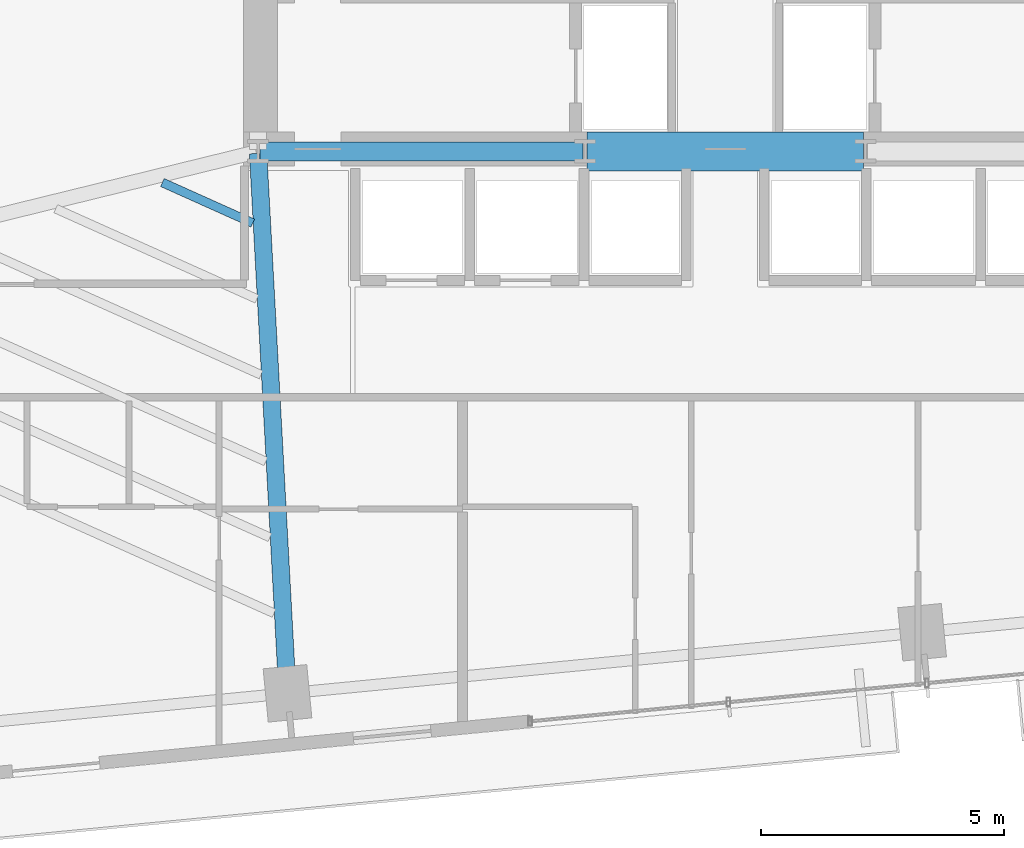
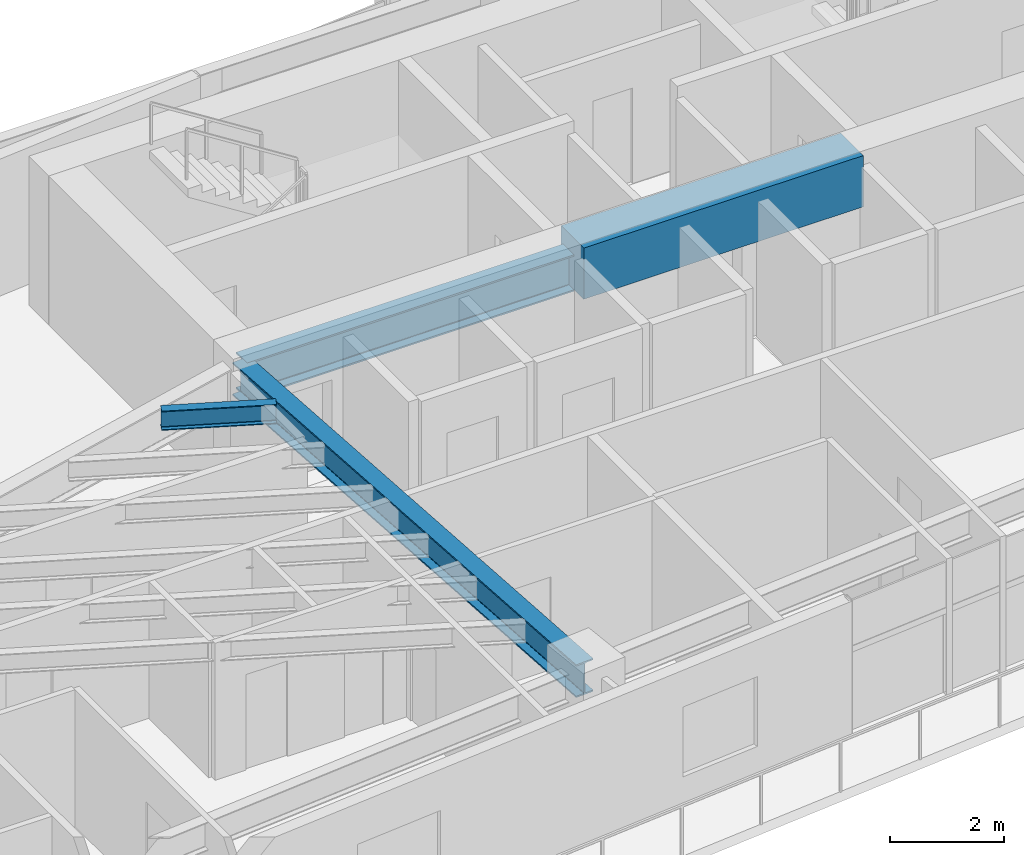
# One storey, part 7 of 25: 4 beams.
"""IFC4 building model written with IfcOpenShell, lengths in metres."""

import ifcopenshell
import ifcopenshell.guid

model = None  # the IFC model being written
_history = None  # IfcOwnerHistory: only IFC2X3 demands one
_inside = {}  # id of a spatial element -> (the spatial element, [elements in it])
_under = {}  # id of a project, library or spatial element -> (it, [spatial elements below it])
_declared = {}  # id of a project -> (the project, [libraries it declares])
_typed = {}  # id of a type object -> (the type object, [elements of that type])
_made_of = {}  # id of a material, layer set ... -> (it, [elements and type objects made of it])


def new_model(schema):
    """Start an empty IFC model of exactly this schema.

    Asked for "IFC4X3", IfcOpenShell would pick the latest addendum, in which some entities
    have other attributes; the version numbers below select the first issue.
    IFC2X3 requires an IfcOwnerHistory on every rooted entity: one is made here for all.
    """
    global model, _history
    if schema == "IFC4X3":
        model = ifcopenshell.file(schema_version=(4, 3, 0, 0))
    else:
        model = ifcopenshell.file(schema=schema)
    _inside.clear()
    _under.clear()
    _declared.clear()
    _typed.clear()
    _made_of.clear()
    _history = None
    if model.schema == "IFC2X3":
        org = make("IfcOrganization", Name="unknown")
        user = make(
            "IfcPersonAndOrganization",
            ThePerson=make("IfcPerson", FamilyName="unknown"),
            TheOrganization=org,
        )
        app = make(
            "IfcApplication",
            ApplicationDeveloper=org,
            Version="unknown",
            ApplicationFullName="unknown",
            ApplicationIdentifier="unknown",
        )
        _history = make(
            "IfcOwnerHistory",
            OwningUser=user,
            OwningApplication=app,
            ChangeAction="ADDED",
            CreationDate=0,
        )
    return model


def make(cls, **values):
    """One entity of the class cls with the attributes given. An attribute that is None is left unset."""
    return model.create_entity(
        cls, **{name: value for name, value in values.items() if value is not None}
    )


def rooted(cls, **values):
    """An entity with a GlobalId (a new one), such as an element, a storey or a relation."""
    return make(cls, GlobalId=ifcopenshell.guid.new(), OwnerHistory=_history, **values)


def si_unit(unit_type, name, prefix=None):
    """IfcSIUnit, for example si_unit("LENGTHUNIT", "METRE", prefix="MILLI")."""
    return make("IfcSIUnit", UnitType=unit_type, Prefix=prefix, Name=name)


def assignment(units):
    """IfcUnitAssignment: the units of a project."""
    return None if units is None else make("IfcUnitAssignment", Units=units)


def point(xyz):
    """IfcCartesianPoint."""
    return None if xyz is None else make("IfcCartesianPoint", Coordinates=xyz)


def direction(xyz):
    """IfcDirection."""
    return None if xyz is None else make("IfcDirection", DirectionRatios=xyz)


def frame(location, z_axis=None, x_axis=None):
    """IfcAxis2Placement3D, a coordinate frame: its origin and axes. An axis left out is left unset."""
    return make(
        "IfcAxis2Placement3D",
        Location=point(location),
        Axis=direction(z_axis),
        RefDirection=direction(x_axis),
    )


def frame_2d(location, x_axis=None):
    """IfcAxis2Placement2D, a coordinate frame in the plane: its origin and x axis."""
    return make(
        "IfcAxis2Placement2D", Location=point(location), RefDirection=direction(x_axis)
    )


def origin():
    """The frame at (0, 0, 0) with its axes left unset."""
    return frame((0.0, 0.0, 0.0))


def origin_2d():
    """The frame at (0, 0) in the plane with its x axis left unset."""
    return frame_2d((0.0, 0.0))


def place(relative_to, where):
    """IfcLocalPlacement: puts the frame where relative to a parent placement (None: the world)."""
    return make(
        "IfcLocalPlacement", PlacementRelTo=relative_to, RelativePlacement=where
    )


def context(
    kind, dimensions, precision=None, world=None, true_north=None, identifier=None
):
    """IfcGeometricRepresentationContext, for example the 3D "Model" context."""
    return make(
        "IfcGeometricRepresentationContext",
        ContextIdentifier=identifier,
        ContextType=kind,
        CoordinateSpaceDimension=dimensions,
        Precision=precision,
        WorldCoordinateSystem=world,
        TrueNorth=true_north,
    )


def subcontext(parent, identifier, kind, view, scale=None):
    """IfcGeometricRepresentationSubContext, for example "Body" below "Model"."""
    return make(
        "IfcGeometricRepresentationSubContext",
        ContextIdentifier=identifier,
        ContextType=kind,
        ParentContext=parent,
        TargetScale=scale,
        TargetView=view,
    )


def project(units=None, contexts=None):
    """IfcProject with its units and contexts."""
    return rooted(
        "IfcProject",
        Name="project",
        RepresentationContexts=contexts,
        UnitsInContext=assignment(units),
    )


def spatial(cls, under=None, at=None, **own):
    """A site, building, storey or space (cls), placed at a placement, below another one or the project."""
    s = rooted(cls, ObjectPlacement=at, **own)
    if under is not None:
        _under.setdefault(under.id(), (under, []))[1].append(s)
    return s


def profile(cls, at=None, kind="AREA", **sizes):
    """A parametric profile (cls). Its sizes go by their IFC names, for example OverallWidth=200.0."""
    return make(cls, ProfileType=kind, Position=at, **sizes)


def rectangle(**sizes):
    """IfcRectangleProfileDef."""
    return profile("IfcRectangleProfileDef", **sizes)


def i_section(**sizes):
    """IfcIShapeProfileDef."""
    return profile("IfcIShapeProfileDef", **sizes)


def extrude(swept, where, along, depth):
    """IfcExtrudedAreaSolid: the profile swept, set in the frame where, extruded along a direction by depth."""
    return make(
        "IfcExtrudedAreaSolid",
        SweptArea=swept,
        Position=where,
        ExtrudedDirection=direction(along),
        Depth=depth,
    )


def shape(context_of_items, identifier, shape_type, items):
    """IfcShapeRepresentation: the items that make up one representation, for example the "Body"."""
    return make(
        "IfcShapeRepresentation",
        ContextOfItems=context_of_items,
        RepresentationIdentifier=identifier,
        RepresentationType=shape_type,
        Items=items,
    )


def source(mapping_origin, context_of_items, identifier, shape_type, items):
    """IfcRepresentationMap: a shape defined once, which mapped items show again and again."""
    return make(
        "IfcRepresentationMap",
        MappingOrigin=mapping_origin,
        MappedRepresentation=shape(context_of_items, identifier, shape_type, items),
    )


def transform(
    local_origin,
    x_axis=None,
    y_axis=None,
    z_axis=None,
    scale=None,
    scale2=None,
    scale3=None,
    uniform=True,
):
    """IfcCartesianTransformationOperator3D, or its non-uniform kind. x_axis, y_axis, z_axis: its Axis1, 2, 3."""
    if uniform:
        return make(
            "IfcCartesianTransformationOperator3D",
            Axis1=direction(x_axis),
            Axis2=direction(y_axis),
            LocalOrigin=point(local_origin),
            Scale=scale,
            Axis3=direction(z_axis),
        )
    return make(
        "IfcCartesianTransformationOperator3DnonUniform",
        Axis1=direction(x_axis),
        Axis2=direction(y_axis),
        LocalOrigin=point(local_origin),
        Scale=scale,
        Axis3=direction(z_axis),
        Scale2=scale2,
        Scale3=scale3,
    )


def mapped(mapping_source, mapping_target):
    """IfcMappedItem: shows the shape of a source again, moved by a transform."""
    return make(
        "IfcMappedItem", MappingSource=mapping_source, MappingTarget=mapping_target
    )


def material(Name=None, Category=None):
    """IfcMaterial."""
    return make("IfcMaterial", Name=Name, Category=Category)


def material_profile(
    of_material, cross_section, Name=None, Category=None, Priority=None
):
    """IfcMaterialProfile: a cross section and its material."""
    return make(
        "IfcMaterialProfile",
        Name=Name,
        Material=of_material,
        Profile=cross_section,
        Priority=Priority,
        Category=Category,
    )


def profile_set(profiles, Name=None, composite=None):
    """IfcMaterialProfileSet."""
    return make(
        "IfcMaterialProfileSet",
        Name=Name,
        MaterialProfiles=profiles,
        CompositeProfile=composite,
    )


def made_of(thing, what):
    """Note that an element or type object is made of a material, layer set ...; save() writes the relation."""
    if what is not None:
        _made_of.setdefault(what.id(), (what, []))[1].append(thing)
    return thing


def type_object(cls, material=None, **own):
    """A type object (cls), such as IfcWallType, which elements share."""
    return made_of(rooted(cls, **own), material)


def type_shapes(of_type, sources):
    """Give a type object the sources (RepresentationMaps) that its elements show as mapped items."""
    of_type.RepresentationMaps = sources


def element(
    cls,
    number,
    at=None,
    inside=None,
    cuts=None,
    type_object=None,
    material=None,
    context=None,
    identifier="Body",
    shape_type=None,
    held_by="IfcProductDefinitionShape",
    body=None,
    shapes=None,
    **own,
):
    """One element of the class cls, such as IfcWall. Its Tag is "e" and its number.

    at: its placement. inside: the storey or other place that contains it. cuts: it is an
    opening in that element (IfcRelVoidsElement). A single representation is given by context,
    identifier, shape_type and body (its items); several are given by shapes. held_by: the class
    of the entity that holds the representations. save() writes the other relations.
    """
    e = rooted(cls, Tag="e%d" % number, ObjectPlacement=at, **own)
    if body is not None:
        shapes = [shape(context, identifier, shape_type, body)]
    if shapes is not None:
        e.Representation = make(held_by, Representations=shapes)
    if inside is not None:
        _inside.setdefault(inside.id(), (inside, []))[1].append(e)
    if cuts is not None:
        rooted(
            "IfcRelVoidsElement", RelatingBuildingElement=cuts, RelatedOpeningElement=e
        )
    if type_object is not None:
        _typed.setdefault(type_object.id(), (type_object, []))[1].append(e)
    return made_of(e, material)


def aggregate(whole, parts):
    """IfcRelAggregates: a whole, such as a stair, and the parts it consists of."""
    return rooted("IfcRelAggregates", RelatingObject=whole, RelatedObjects=parts)


def save(model, path):
    """Write the relations noted so far, then the file.

    IfcRelAggregates (storeys below a building ...), IfcRelContainedInSpatialStructure (elements
    in a storey), IfcRelDefinesByType, IfcRelAssociatesMaterial and IfcRelDeclares: one each for
    every whole, place, type object, material and project.
    """
    for whole, parts in _under.values():
        aggregate(whole, parts)
    for where, things in _inside.values():
        rooted(
            "IfcRelContainedInSpatialStructure",
            RelatedElements=things,
            RelatingStructure=where,
        )
    for kind, things in _typed.values():
        rooted("IfcRelDefinesByType", RelatedObjects=things, RelatingType=kind)
    for what, things in _made_of.values():
        rooted("IfcRelAssociatesMaterial", RelatedObjects=things, RelatingMaterial=what)
    for by, libraries in _declared.values():
        rooted("IfcRelDeclares", RelatingContext=by, RelatedDefinitions=libraries)
    model.write(path)


model = new_model("IFC4")

# Units and contexts
model_context = context("Model", 3, precision=1e-05, world=origin(), true_north=direction((0.0, 1.0)))
body_context = subcontext(model_context, "Body", "Model", "MODEL_VIEW")
ifc_project = project(units=[si_unit("LENGTHUNIT", "METRE"), si_unit("AREAUNIT", "SQUARE_METRE"), si_unit("VOLUMEUNIT", "CUBIC_METRE"), si_unit("PLANEANGLEUNIT", "RADIAN"), si_unit("MASSUNIT", "GRAM", prefix="KILO")], contexts=[model_context])

# Site, building, storey
site_placement = place(None, origin())
site = spatial("IfcSite", under=ifc_project, at=site_placement, CompositionType="ELEMENT")
building_placement = place(site_placement, origin())
building = spatial("IfcBuilding", under=site, at=building_placement, Name="Astriad Promenade Condominiums", CompositionType="ELEMENT")
storey_placement = place(building_placement, frame((0.0, 0.0, 77.800048828125)))
storey = spatial("IfcBuildingStorey", under=building, at=storey_placement, Name="L21", CompositionType="ELEMENT", Elevation=77.800048828125)

# Beams
ifc_material_1 = material(Name="Steel ASTM A992 Grade 50", Category="steel")
ifc_material_profile_1 = material_profile(ifc_material_1, i_section(OverallWidth=0.3837890625, OverallDepth=0.785888671875, WebThickness=0.019775390625, FlangeThickness=0.033447265625, FilletRadius=0.021484375, at=origin_2d()), Name="W30X211")
ifc_profile_set_1 = profile_set([ifc_material_profile_1], Name="Steel ASTM A992 Grade 50")
beam_type_1 = type_object("IfcBeamType", Name="STEEL FLOOR GIRDER W30X211", PredefinedType="BEAM", material=ifc_profile_set_1)
shared_shape_1 = source(origin(), body_context, "Body", "SweptSolid", [
    extrude(i_section(OverallWidth=0.3837890625, OverallDepth=0.785888671875, WebThickness=0.019775390625, FlangeThickness=0.033447265625, FilletRadius=0.021484375, at=origin_2d()), origin(), (0.0, 0.0, 1.0), 6.64013671875),
])
type_shapes(beam_type_1, [shared_shape_1])
beam_1_placement = place(storey_placement, frame((26.43994140625, 17.39990234375, 2.546875), z_axis=(1.0, 0.0, 0.0), x_axis=(0.0, 1.0, 0.0)))
element("IfcBeam", 1, at=beam_1_placement, inside=storey, type_object=beam_type_1, Name="Core Ring Beam CG-S1-L21", PredefinedType="BEAM", context=body_context, shape_type="MappedRepresentation", body=[
    mapped(shared_shape_1, transform((0.0, 0.0, 0.0), scale=1.0)),
])
ifc_material_2 = material(Name="Concrete C80/95", Category="concrete")
ifc_material_profile_2 = material_profile(ifc_material_2, rectangle(XDim=0.800048828125, YDim=1.10009765625, at=origin_2d()), Name="RC-BM-800X1100")
ifc_profile_set_2 = profile_set([ifc_material_profile_2], Name="Concrete C80/95")
beam_type_2 = type_object("IfcBeamType", Name="CONCRETE CORE COUPLING LINTEL 800X1100", PredefinedType="LINTEL", material=ifc_profile_set_2)
shared_shape_2 = source(origin(), body_context, "Body", "SweptSolid", [
    extrude(rectangle(XDim=0.800048828125, YDim=1.10009765625, at=origin_2d()), origin(), (0.0, 0.0, 1.0), 5.68017578125),
])
type_shapes(beam_type_2, [shared_shape_2])
beam_2_placement = place(storey_placement, frame((33.159912109375, 17.39990234375, 2.6298828125), z_axis=(1.0, 0.0, 0.0), x_axis=(0.0, 1.0, 0.0)))
element("IfcBeam", 2, at=beam_2_placement, inside=storey, type_object=beam_type_2, Name="Core Ring Beam CG-S2-L21", PredefinedType="LINTEL", context=body_context, shape_type="MappedRepresentation", body=[
    mapped(shared_shape_2, transform((0.0, 0.0, 0.0), scale=1.0)),
])
ifc_material_profile_3 = material_profile(ifc_material_1, i_section(OverallWidth=0.35791015625, OverallDepth=0.706298828125, WebThickness=0.018310546875, FlangeThickness=0.0302734375, FilletRadius=0.020263671875, at=origin_2d()), Name="W27X178")
ifc_profile_set_3 = profile_set([ifc_material_profile_3], Name="Steel ASTM A992 Grade 50")
beam_type_3 = type_object("IfcBeamType", Name="STEEL FLOOR GIRDER W27X178", PredefinedType="BEAM", material=ifc_profile_set_3)
shared_shape_3 = source(origin(), body_context, "Body", "SweptSolid", [
    extrude(i_section(OverallWidth=0.35791015625, OverallDepth=0.706298828125, WebThickness=0.018310546875, FlangeThickness=0.0302734375, FilletRadius=0.020263671875, at=origin_2d()), origin(), (0.0, 0.0, 1.0), 11.071533203125),
])
type_shapes(beam_type_3, [shared_shape_3])
beam_3_placement = place(storey_placement, frame((27.00341796875, 6.304931640625, 2.586669921875), z_axis=(-0.05431219074, 0.998524003686, 0.0), x_axis=(-0.998524003686, -0.05431219074, 0.0)))
element("IfcBeam", 3, at=beam_3_placement, inside=storey, type_object=beam_type_3, Name="Primary Floor Girder PG-W2-L21", PredefinedType="BEAM", context=body_context, shape_type="MappedRepresentation", body=[
    mapped(shared_shape_3, transform((0.0, 0.0, 0.0), scale=1.0)),
])
ifc_material_profile_4 = material_profile(ifc_material_1, i_section(OverallWidth=0.180908203125, OverallDepth=0.417236328125, WebThickness=0.010986328125, FlangeThickness=0.018310546875, FilletRadius=0.013916015625, at=origin_2d()), Name="W16X57")
ifc_profile_set_4 = profile_set([ifc_material_profile_4], Name="Steel ASTM A992 Grade 50")
beam_type_4 = type_object("IfcBeamType", Name="STEEL FLOOR JOIST W16X57", PredefinedType="JOIST", material=ifc_profile_set_4)
shared_shape_4 = source(origin(), body_context, "Body", "SweptSolid", [
    extrude(i_section(OverallWidth=0.180908203125, OverallDepth=0.417236328125, WebThickness=0.010986328125, FlangeThickness=0.018310546875, FilletRadius=0.013916015625, at=origin_2d()), origin(), (0.0, 0.0, 1.0), 2.03564453125),
])
type_shapes(beam_type_4, [shared_shape_4])
beam_4_placement = place(storey_placement, frame((24.434814453125, 16.76123046875, 2.731201171875), z_axis=(0.912286908711, -0.409551701492, 0.0), x_axis=(0.409551701492, 0.912286908711, 0.0)))
element("IfcBeam", 4, at=beam_4_placement, inside=storey, type_object=beam_type_4, Name="Secondary Composite Floor Joist JW1-6-L21", PredefinedType="JOIST", context=body_context, shape_type="MappedRepresentation", body=[
    mapped(shared_shape_4, transform((0.0, 0.0, 0.0), scale=1.0)),
])

save(model, "model.ifc")
